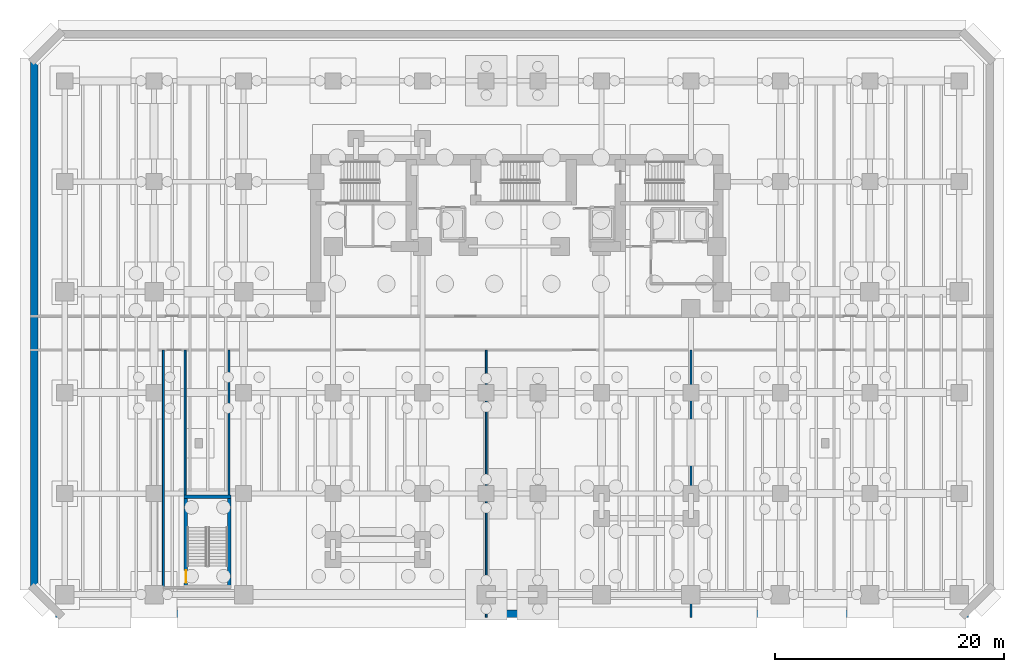
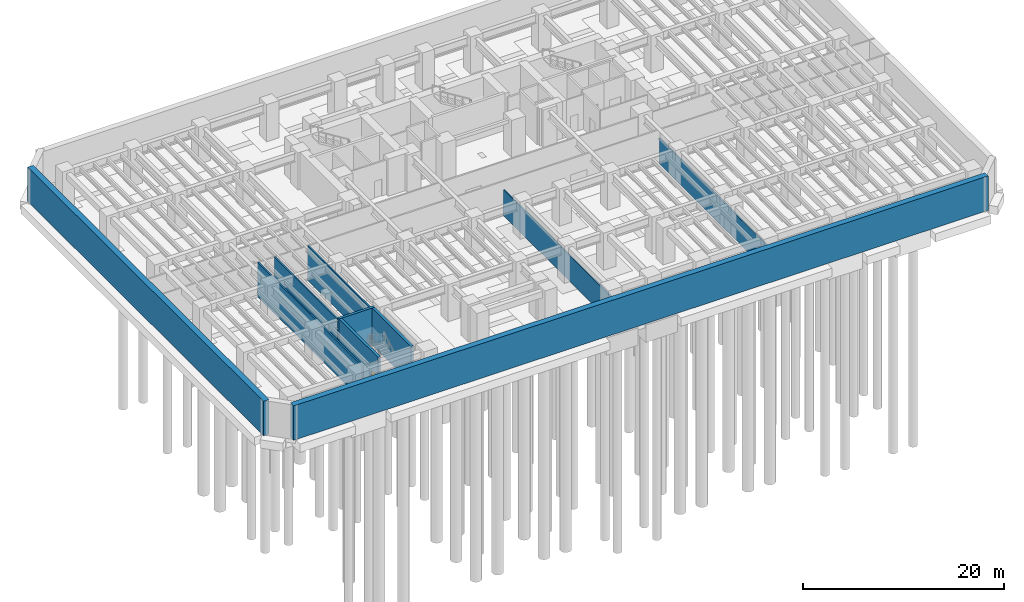
# One storey, part 7 of 13: 10 walls, 1 door, 1 opening.
"""IFC4 building model written with IfcOpenShell, lengths in metres."""

from ifc_helpers import new_model, si_unit, direction, frame, frame_2d, origin, place, context, subcontext, project, spatial, rectangle, extrude, material, layer, layer_set, type_object, element, fill, save


model = new_model("IFC4")

# Units and contexts
model_context = context("Model", 3, precision=1e-05, world=origin(), true_north=direction((0.0, 1.0)))
body_context = subcontext(model_context, "Body", "Model", "MODEL_VIEW")
ifc_project = project(units=[si_unit("LENGTHUNIT", "METRE"), si_unit("AREAUNIT", "SQUARE_METRE"), si_unit("VOLUMEUNIT", "CUBIC_METRE"), si_unit("PLANEANGLEUNIT", "RADIAN"), si_unit("MASSUNIT", "GRAM", prefix="KILO")], contexts=[model_context])

# Site, building, storey
site_placement = place(None, origin())
site = spatial("IfcSite", under=ifc_project, at=site_placement, CompositionType="ELEMENT")
building_placement = place(site_placement, origin())
building = spatial("IfcBuilding", under=site, at=building_placement, Name="Kestravale Grand Hotel", CompositionType="ELEMENT")
storey_placement = place(building_placement, frame((0.0, 0.0, -9.0)))
storey = spatial("IfcBuildingStorey", under=building, at=storey_placement, Name="B2", CompositionType="ELEMENT", Elevation=-9.0)

# Walls
ifc_material_1 = material(Name="Concrete f'c 45 MPa", Category="concrete")
ifc_layer_1 = layer(ifc_material_1, 0.64990234375)
ifc_layer_set_1 = layer_set([ifc_layer_1], Name="EW-RET-650")
wall_type_1 = type_object("IfcWallType", Name="EW-RET-650", PredefinedType="USERDEFINED", material=ifc_layer_set_1)
wall_1_placement = place(storey_placement, frame((-0.820068359375, 0.72509765625, 0.0), z_axis=(0.0, 0.0, 1.0), x_axis=(1.0, 0.0, 0.0)))
element("IfcWall", 1, at=wall_1_placement, inside=storey, type_object=wall_type_1, Name="B2 perimeter retaining wall 1", ObjectType="RETAINING WALL", PredefinedType="USERDEFINED", context=body_context, shape_type="SweptSolid", body=[
    extrude(rectangle(XDim=79.64013671875, YDim=0.64990234375, at=frame_2d((39.820068359375, 0.0))), origin(), (0.0, 0.0, 1.0), 4.179931640625),
])
wall_2_placement = place(storey_placement, frame((-2.675048828125, 49.419921875, 0.0), z_axis=(0.0, 0.0, 1.0), x_axis=(0.0, -1.0, 0.0)))
element("IfcWall", 2, at=wall_2_placement, inside=storey, type_object=wall_type_1, Name="B2 perimeter retaining wall 7", ObjectType="RETAINING WALL", PredefinedType="USERDEFINED", context=body_context, shape_type="SweptSolid", body=[
    extrude(rectangle(XDim=46.83984375, YDim=0.64990234375, at=frame_2d((23.419921875, 0.0))), origin(), (0.0, 0.0, 1.0), 4.179931640625),
])

# Wall, opening, door
ifc_material_2 = material(Name="Concrete f'c 45 MPa", Category="concrete")
ifc_layer_2 = layer(ifc_material_2, 0.300048828125)
ifc_layer_set_2 = layer_set([ifc_layer_2], Name="EW-STAIR-300")
wall_type_2 = type_object("IfcWallType", Name="EW-STAIR-300", PredefinedType="SHEAR", material=ifc_layer_set_2)
wall_3_placement = place(storey_placement, frame((10.56005859375, 3.070068359375, 0.0), z_axis=(0.0, 0.0, 1.0), x_axis=(0.0, 1.0, 0.0)))
wall_3 = element("IfcWall", 3, at=wall_3_placement, inside=storey, type_object=wall_type_2, Name="B2 stair enclosure shear wall ST4W", PredefinedType="SHEAR", context=body_context, shape_type="SweptSolid", body=[
    extrude(rectangle(XDim=7.85986328125, YDim=0.300048828125, at=frame_2d((3.929931640625, 0.0))), origin(), (0.0, 0.0, 1.0), 4.5),
])
opening_placement = place(wall_3_placement, frame((0.35009765625, 0.0, 0.0)))
opening = element("IfcOpeningElement", 4, at=opening_placement, cuts=wall_3, Name="Opening D-ST-1100", PredefinedType="OPENING", context=body_context, shape_type="SweptSolid", body=[
    extrude(rectangle(XDim=1.10009765625, YDim=2.14990234375, at=frame_2d((0.550048828125, 1.074951171875))), frame((0.0, 0.159912109375, 0.0), z_axis=(0.0, -1.0, 0.0), x_axis=(1.0, 0.0, 0.0)), (0.0, 0.0, 1.0), 0.320068359375),
])
ifc_material_3 = material(Name="Galvanised 90-minute fire-rated steel stair door", Category="steel")
door_type = type_object("IfcDoorType", Name="D-ST-1100", OperationType="NOTDEFINED", PredefinedType="DOOR", material=ifc_material_3)
door_placement = place(opening_placement, origin())
door = element("IfcDoor", 5, at=door_placement, inside=storey, type_object=door_type, Name="B2 Stair ST-4 fire door", OperationType="SINGLE_SWING_LEFT", OverallHeight=2.14990234375, OverallWidth=1.10009765625, PredefinedType="DOOR", context=body_context, shape_type="SweptSolid", body=[
    extrude(rectangle(XDim=1.10009765625, YDim=2.14990234375, at=frame_2d((0.550048828125, 1.074951171875))), frame((0.0, 0.02490234375, 0.0), z_axis=(0.0, -1.0, 0.0), x_axis=(1.0, 0.0, 0.0)), (0.0, 0.0, 1.0), 0.050048828125),
])
fill(opening, door)

# Walls
wall_4_placement = place(storey_placement, frame((14.330078125, 3.070068359375, 0.0), z_axis=(0.0, 0.0, 1.0), x_axis=(0.0, 1.0, 0.0)))
element("IfcWall", 6, at=wall_4_placement, inside=storey, type_object=wall_type_2, Name="B2 stair enclosure shear wall ST4E", PredefinedType="SHEAR", context=body_context, shape_type="SweptSolid", body=[
    extrude(rectangle(XDim=7.85986328125, YDim=0.300048828125, at=frame_2d((3.929931640625, 0.0))), origin(), (0.0, 0.0, 1.0), 4.5),
])
wall_5_placement = place(storey_placement, frame((10.409912109375, 10.929931640625, 0.0), z_axis=(0.0, 0.0, 1.0), x_axis=(1.0, 0.0, 0.0)))
element("IfcWall", 7, at=wall_5_placement, inside=storey, type_object=wall_type_2, Name="B2 stair enclosure shear wall ST4N", PredefinedType="SHEAR", context=body_context, shape_type="SweptSolid", body=[
    extrude(rectangle(XDim=4.070068359375, YDim=0.300048828125, at=frame_2d((2.03515625, 0.0))), origin(), (0.0, 0.0, 1.0), 4.5),
])
ifc_material_4 = material(Name="Acoustic fire-rated gypsum board partition", Category="other")
ifc_layer_3 = layer(ifc_material_4, 0.159912109375)
ifc_layer_set_3 = layer_set([ifc_layer_3], Name="IW-CORR-160")
wall_type_3 = type_object("IfcWallType", Name="IW-CORR-160", PredefinedType="PARTITIONING", material=ifc_layer_set_3)
wall_6_placement = place(storey_placement, frame((8.60009765625, 3.0, 0.0), z_axis=(0.0, 0.0, 1.0), x_axis=(0.0, 1.0, 0.0)))
element("IfcWall", 8, at=wall_6_placement, inside=storey, type_object=wall_type_3, Name="W-B2-WC-W", PredefinedType="PARTITIONING", context=body_context, shape_type="SweptSolid", body=[
    extrude(rectangle(XDim=20.719970703125, YDim=0.159912109375, at=frame_2d((10.35986328125, 0.0))), origin(), (0.0, 0.0, 1.0), 4.179931640625),
])
wall_7_placement = place(storey_placement, frame((10.5, 10.949951171875, 0.0), z_axis=(0.0, 0.0, 1.0), x_axis=(0.0, 1.0, 0.0)))
element("IfcWall", 9, at=wall_7_placement, inside=storey, type_object=wall_type_3, Name="W-B2-WC-E", PredefinedType="PARTITIONING", context=body_context, shape_type="SweptSolid", body=[
    extrude(rectangle(XDim=12.77001953125, YDim=0.159912109375, at=frame_2d((6.385009765625, 0.0))), origin(), (0.0, 0.0, 1.0), 4.179931640625),
])
ifc_material_5 = material(Name="Double-stud STC 52 acoustic demising partition", Category="other")
ifc_layer_4 = layer(ifc_material_5, 0.14990234375)
ifc_layer_set_4 = layer_set([ifc_layer_4], Name="IW-UNIT-150")
wall_type_4 = type_object("IfcWallType", Name="IW-UNIT-150", PredefinedType="PARTITIONING", material=ifc_layer_set_4)
wall_8_placement = place(storey_placement, frame((14.330078125, 10.949951171875, 0.0), z_axis=(0.0, 0.0, 1.0), x_axis=(0.0, 1.0, 0.0)))
element("IfcWall", 10, at=wall_8_placement, inside=storey, type_object=wall_type_4, Name="W-B2-ST4-EN", PredefinedType="PARTITIONING", context=body_context, shape_type="SweptSolid", body=[
    extrude(rectangle(XDim=12.77001953125, YDim=0.14990234375, at=frame_2d((6.385009765625, 0.0))), origin(), (0.0, 0.0, 1.0), 4.179931640625),
])
for number, where, z_axis, x_axis, name in (
    (11, (36.75, 0.419921875, 0.0), (0.0, 0.0, 1.0), (0.0, 1.0, 0.0), "W-B2-SB-2"),
    (12, (54.60009765625, 0.419921875, 0.0), (0.0, 0.0, 1.0), (0.0, 1.0, 0.0), "W-B2-SB-3"),
):
    element("IfcWall", number, at=place(storey_placement, frame(where, z_axis=z_axis, x_axis=x_axis)), inside=storey, type_object=wall_type_4, Name=name, PredefinedType="PARTITIONING", context=body_context, shape_type="SweptSolid", body=[
        extrude(rectangle(XDim=23.300048828125, YDim=0.14990234375, at=frame_2d((11.64990234375, 0.0))), origin(), (0.0, 0.0, 1.0), 3.139892578125),
    ])

save(model, "model.ifc")
